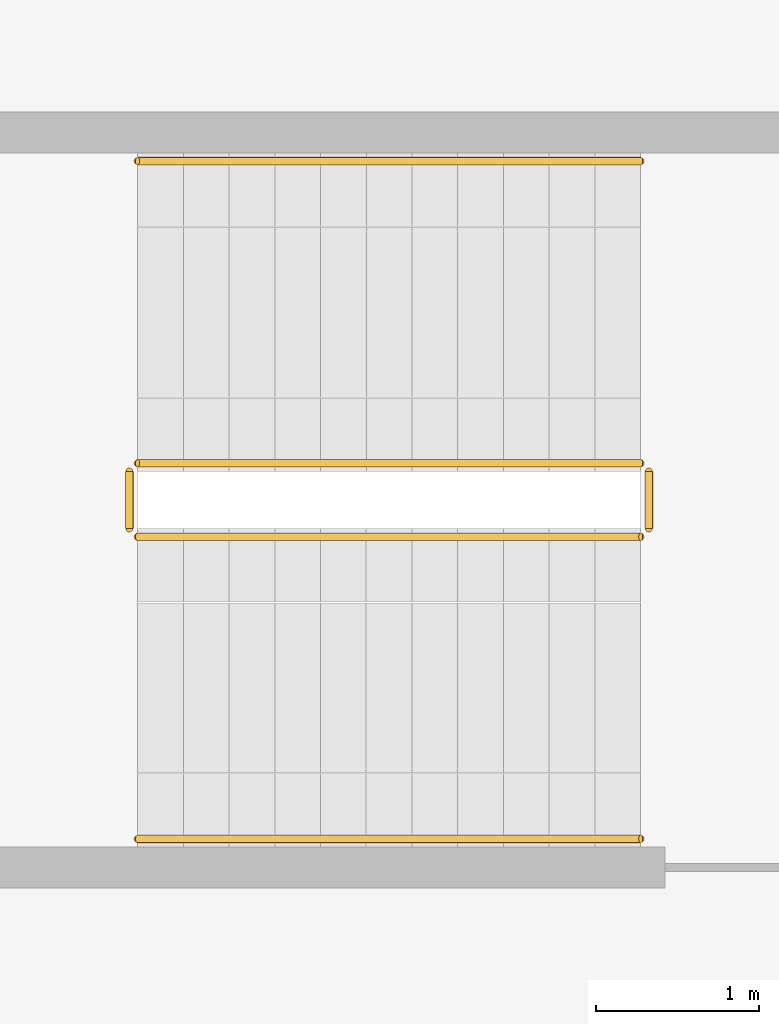
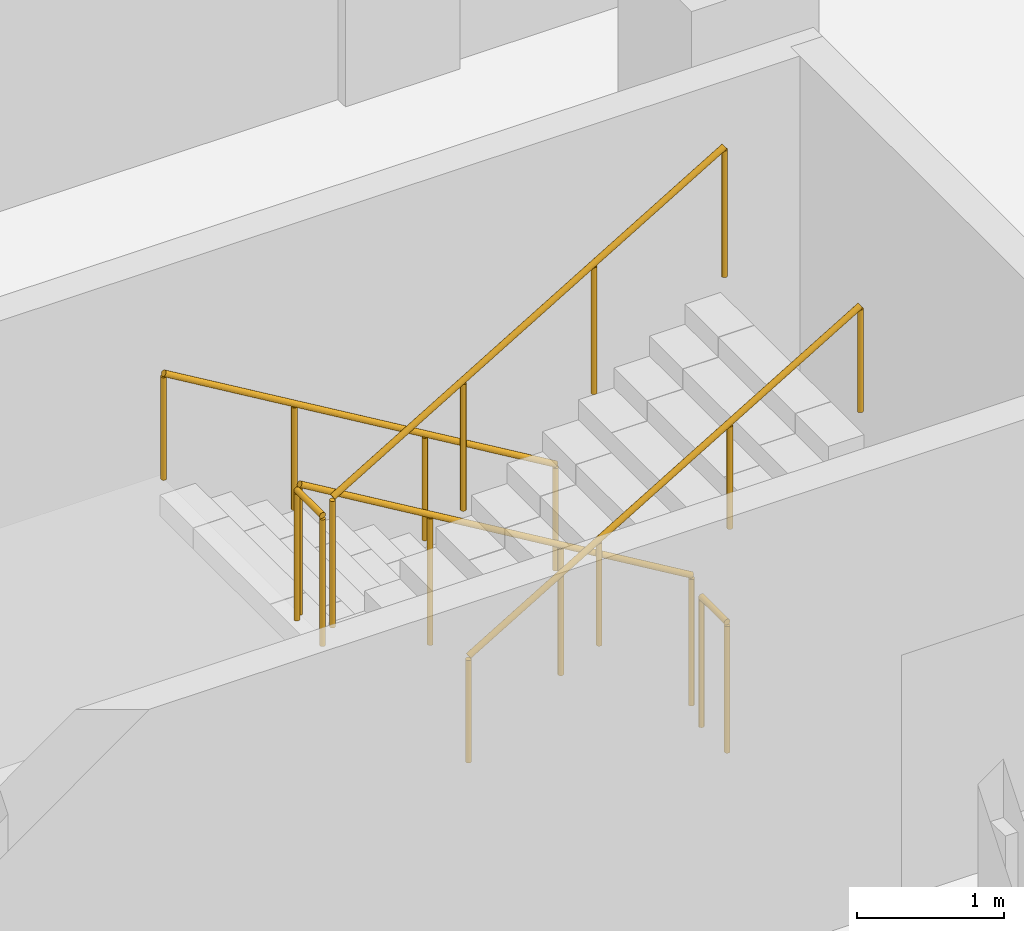
# One storey, part 15 of 15: 1 railing.
"""IFC4 building model written with IfcOpenShell, lengths in metres."""

from ifc_helpers import new_model, si_unit, direction, frame, origin, origin_2d, place, context, subcontext, project, spatial, circle, extrude, material, type_object, element, save


model = new_model("IFC4")

# Units and contexts
model_context = context("Model", 3, precision=1e-05, world=origin(), true_north=direction((0.0, 1.0)))
body_context = subcontext(model_context, "Body", "Model", "MODEL_VIEW")
ifc_project = project(units=[si_unit("LENGTHUNIT", "METRE"), si_unit("AREAUNIT", "SQUARE_METRE"), si_unit("VOLUMEUNIT", "CUBIC_METRE"), si_unit("PLANEANGLEUNIT", "RADIAN"), si_unit("MASSUNIT", "GRAM", prefix="KILO")], contexts=[model_context])

# Site, building, storey
site_placement = place(None, origin())
site = spatial("IfcSite", under=ifc_project, at=site_placement, CompositionType="ELEMENT")
building_placement = place(site_placement, origin())
building = spatial("IfcBuilding", under=site, at=building_placement, Name="Corbelhall Arena Tower", CompositionType="ELEMENT")
storey_placement = place(building_placement, frame((0.0, 0.0, 192.0)))
storey = spatial("IfcBuildingStorey", under=building, at=storey_placement, Name="L39", CompositionType="ELEMENT", Elevation=192.0)

# Railing
ifc_material = material(Name="Steel ASTM A500 Gr C", Category="steel")
railing_type = type_object("IfcRailingType", Name="IN-GD-1100", PredefinedType="GUARDRAIL", material=ifc_material)
railing_placement = place(storey_placement, frame((11.425048828125, 14.77490234375, 0.166748046875)))
element("IfcRailing", 1, at=railing_placement, inside=storey, type_object=railing_type, Name="L39 ST3 stair guards and handrails", PredefinedType="GUARDRAIL", context=body_context, shape_type="SweptSolid", body=[
    extrude(circle(Radius=0.02392578125, at=origin_2d()), frame((0.0, 0.0, 1.076171875), z_axis=(-0.859308565015, 0.0, 0.511457515432), x_axis=(0.0, -1.0, 0.0)), (0.0, 0.0, 1.0), 3.58447265625),
    extrude(circle(Radius=0.02392578125, at=origin_2d()), frame((-3.130126953125, -0.0498046875, 2.9091796875), z_axis=(0.0, -1.0, 0.0), x_axis=(1.0, 0.0, 0.0)), (0.0, 0.0, 1.0), 0.35009765625),
    extrude(circle(Radius=0.02392578125, at=origin_2d()), frame((-3.080078125, -0.449951171875, 3.076171875), z_axis=(0.859308565015, 0.0, 0.511457515432), x_axis=(0.0, 1.0, 0.0)), (0.0, 0.0, 1.0), 3.58447265625),
    extrude(circle(Radius=0.02392578125, at=origin_2d()), frame((0.050048828125, -0.0498046875, 0.9091796875), z_axis=(0.0, -1.0, 0.0), x_axis=(1.0, 0.0, 0.0)), (0.0, 0.0, 1.0), 0.35009765625),
    extrude(circle(Radius=0.02392578125, at=origin_2d()), frame((0.0, 1.85009765625, 0.8759765625), z_axis=(-0.859308565015, 0.0, 0.511457515432), x_axis=(0.0, -1.0, 0.0)), (0.0, 0.0, 1.0), 3.58447265625),
    extrude(circle(Radius=0.02392578125, at=origin_2d()), frame((-3.080078125, -2.2998046875, 2.8759765625), z_axis=(0.859308565015, 0.0, 0.511457515432), x_axis=(0.0, 1.0, 0.0)), (0.0, 0.0, 1.0), 3.58447265625),
    extrude(circle(Radius=0.02099609375, at=origin_2d()), origin(), (0.0, 0.0, 1.0), 1.052001953125),
    extrude(circle(Radius=0.02099609375, at=origin_2d()), frame((-1.026611328125, 0.0, 0.611083984375)), (0.0, 0.0, 1.0), 1.052001953125),
    extrude(circle(Radius=0.02099609375, at=origin_2d()), frame((-2.053466796875, 0.0, 1.22216796875)), (0.0, 0.0, 1.0), 1.052001953125),
    extrude(circle(Radius=0.02099609375, at=origin_2d()), frame((-3.080078125, 0.0, 1.833251953125)), (0.0, 0.0, 1.0), 1.052001953125),
    extrude(circle(Radius=0.02099609375, at=origin_2d()), frame((-3.130126953125, -0.0498046875, 1.833251953125)), (0.0, 0.0, 1.0), 1.052001953125),
    extrude(circle(Radius=0.02099609375, at=origin_2d()), frame((-3.130126953125, -0.39990234375, 1.833251953125)), (0.0, 0.0, 1.0), 1.052001953125),
    extrude(circle(Radius=0.02099609375, at=origin_2d()), frame((-3.080078125, -0.449951171875, 2.0)), (0.0, 0.0, 1.0), 1.052001953125),
    extrude(circle(Radius=0.02099609375, at=origin_2d()), frame((-2.053466796875, -0.449951171875, 2.611083984375)), (0.0, 0.0, 1.0), 1.052001953125),
    extrude(circle(Radius=0.02099609375, at=origin_2d()), frame((-1.026611328125, -0.449951171875, 3.22216796875)), (0.0, 0.0, 1.0), 1.052001953125),
    extrude(circle(Radius=0.02099609375, at=origin_2d()), frame((0.0, -0.449951171875, 3.833251953125)), (0.0, 0.0, 1.0), 1.052001953125),
    extrude(circle(Radius=0.02099609375, at=origin_2d()), frame((0.050048828125, -0.0498046875, -0.166748046875)), (0.0, 0.0, 1.0), 1.052001953125),
    extrude(circle(Radius=0.02099609375, at=origin_2d()), frame((0.050048828125, -0.39990234375, -0.166748046875)), (0.0, 0.0, 1.0), 1.052001953125),
    extrude(circle(Radius=0.02099609375, at=origin_2d()), frame((0.0, 1.85009765625, 0.0)), (0.0, 0.0, 1.0), 0.851806640625),
    extrude(circle(Radius=0.02099609375, at=origin_2d()), frame((-1.026611328125, 1.85009765625, 0.611083984375)), (0.0, 0.0, 1.0), 0.851806640625),
    extrude(circle(Radius=0.02099609375, at=origin_2d()), frame((-2.053466796875, 1.85009765625, 1.22216796875)), (0.0, 0.0, 1.0), 0.851806640625),
    extrude(circle(Radius=0.02099609375, at=origin_2d()), frame((-3.080078125, 1.85009765625, 1.833251953125)), (0.0, 0.0, 1.0), 0.851806640625),
    extrude(circle(Radius=0.02099609375, at=origin_2d()), frame((-3.080078125, -2.2998046875, 2.0)), (0.0, 0.0, 1.0), 0.851806640625),
    extrude(circle(Radius=0.02099609375, at=origin_2d()), frame((-2.053466796875, -2.2998046875, 2.611083984375)), (0.0, 0.0, 1.0), 0.851806640625),
    extrude(circle(Radius=0.02099609375, at=origin_2d()), frame((-1.026611328125, -2.2998046875, 3.22216796875)), (0.0, 0.0, 1.0), 0.851806640625),
    extrude(circle(Radius=0.02099609375, at=origin_2d()), frame((0.0, -2.2998046875, 3.833251953125)), (0.0, 0.0, 1.0), 0.851806640625),
])

save(model, "model.ifc")
